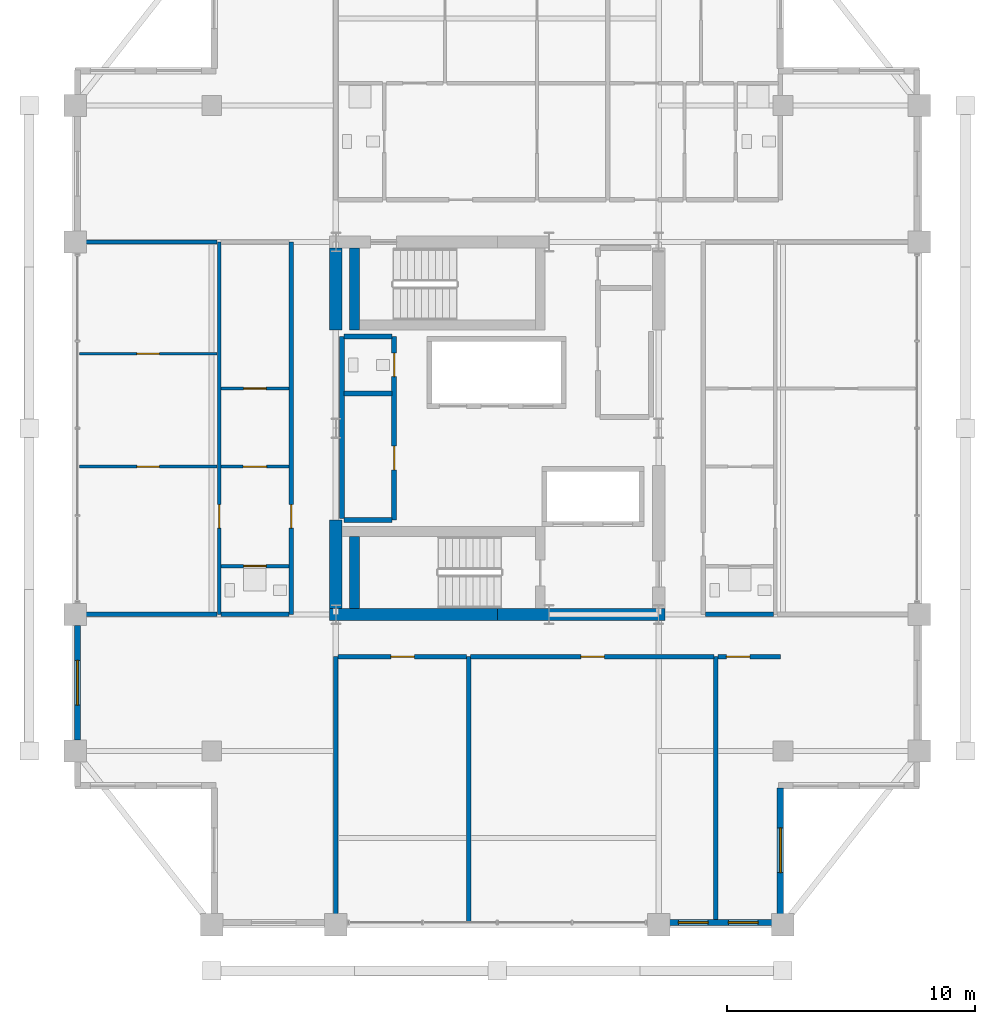
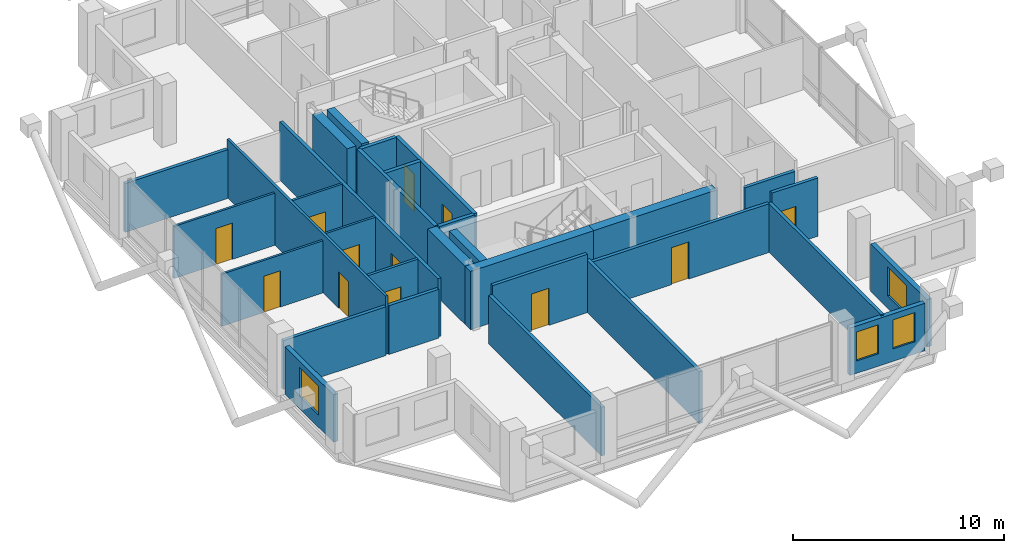
# One storey, part 18 of 23: 31 walls, 12 doors, 4 windows, 16 openings.
"""IFC4 building model written with IfcOpenShell, lengths in metres."""

from ifc_helpers import new_model, si_unit, direction, frame, frame_2d, origin, place, context, subcontext, project, spatial, rectangle, extrude, material, layer, layer_set, type_object, element, fill, save


model = new_model("IFC4")

# Units and contexts
model_context = context("Model", 3, precision=1e-05, world=origin(), true_north=direction((0.0, 1.0)))
body_context = subcontext(model_context, "Body", "Model", "MODEL_VIEW")
ifc_project = project(units=[si_unit("LENGTHUNIT", "METRE"), si_unit("AREAUNIT", "SQUARE_METRE"), si_unit("VOLUMEUNIT", "CUBIC_METRE"), si_unit("PLANEANGLEUNIT", "RADIAN"), si_unit("MASSUNIT", "GRAM", prefix="KILO")], contexts=[model_context])

# Site, building, storey
site_placement = place(None, origin())
site = spatial("IfcSite", under=ifc_project, at=site_placement, CompositionType="ELEMENT")
building_placement = place(site_placement, origin())
building = spatial("IfcBuilding", under=site, at=building_placement, Name="Barlavira Tower and Art Museum", CompositionType="ELEMENT")
storey_placement = place(building_placement, frame((0.0, 0.0, 247.5)))
storey = spatial("IfcBuildingStorey", under=building, at=storey_placement, Name="L64", CompositionType="ELEMENT", Elevation=247.5)

# Wall, opening, door
ifc_material_1 = material(Name="Gypsum acoustic stud partition", Category="gypsum")
ifc_layer_1 = layer(ifc_material_1, 0.1201171875, Name="Gypsum acoustic stud partition")
ifc_layer_set_1 = layer_set([ifc_layer_1], Name="Gypsum acoustic stud partition")
wall_type_1 = type_object("IfcWallType", Name="Apartment Internal Acoustic Partition 120", PredefinedType="PARTITIONING", material=ifc_layer_set_1)
wall_1_placement = place(storey_placement, frame((-16.820068359375, -1.550048828125, 0.0), z_axis=(0.0, 0.0, 1.0), x_axis=(1.0, 0.0, 0.0)))
wall_1 = element("IfcWall", 1, at=wall_1_placement, inside=storey, type_object=wall_type_1, Name="L64 Partition Wall 31", PredefinedType="PARTITIONING", context=body_context, shape_type="SweptSolid", body=[
    extrude(rectangle(XDim=5.5400390625, YDim=0.1201171875, at=frame_2d((2.77001953125, 0.0))), origin(), (0.0, 0.0, 1.0), 3.01806640625),
])
opening_1_placement = place(wall_1_placement, frame((2.31005859375, 0.0, 0.0)))
opening_1 = element("IfcOpeningElement", 2, at=opening_1_placement, cuts=wall_1, Name="Opening D-01", PredefinedType="OPENING", context=body_context, shape_type="SweptSolid", body=[
    extrude(rectangle(XDim=0.89990234375, YDim=2.10009765625, at=frame_2d((0.449951171875, 1.050048828125))), frame((0.0, 0.070068359375, 0.0), z_axis=(0.0, -1.0, 0.0), x_axis=(1.0, 0.0, 0.0)), (0.0, 0.0, 1.0), 0.14013671875),
])
ifc_material_2 = material(Name="Engineered coastal hardwood", Category="wood")
door_type_1 = type_object("IfcDoorType", Name="Internal Bedroom Timber Flush Door 900x2100", OperationType="NOTDEFINED", PredefinedType="DOOR", material=ifc_material_2)
door_1_placement = place(opening_1_placement, origin())
door_1 = element("IfcDoor", 3, at=door_1_placement, inside=storey, type_object=door_type_1, Name="Apartment W1 Bedroom 1 Door", OperationType="SINGLE_SWING_LEFT", OverallHeight=2.10009765625, OverallWidth=0.89990234375, PredefinedType="DOOR", context=body_context, shape_type="SweptSolid", body=[
    extrude(rectangle(XDim=0.89990234375, YDim=2.10009765625, at=frame_2d((0.449951171875, 1.050048828125))), frame((0.0, 0.02490234375, 0.0), z_axis=(0.0, -1.0, 0.0), x_axis=(1.0, 0.0, 0.0)), (0.0, 0.0, 1.0), 0.050048828125),
])
fill(opening_1, door_1)

wall_2_placement = place(storey_placement, frame((-11.1201171875, -1.550048828125, 0.0), z_axis=(0.0, 0.0, 1.0), x_axis=(1.0, 0.0, 0.0)))
wall_2 = element("IfcWall", 4, at=wall_2_placement, inside=storey, type_object=wall_type_1, Name="L64 Partition Wall 32", PredefinedType="PARTITIONING", context=body_context, shape_type="SweptSolid", body=[
    extrude(rectangle(XDim=2.740234375, YDim=0.1201171875, at=frame_2d((1.3701171875, 0.0))), origin(), (0.0, 0.0, 1.0), 3.3798828125),
])
opening_2_placement = place(wall_2_placement, frame((0.885009765625, 0.0, 0.0)))
opening_2 = element("IfcOpeningElement", 5, at=opening_2_placement, cuts=wall_2, Name="Opening D-02", PredefinedType="OPENING", context=body_context, shape_type="SweptSolid", body=[
    extrude(rectangle(XDim=0.949951171875, YDim=2.10009765625, at=frame_2d((0.47509765625, 1.050048828125))), frame((0.0, 0.070068359375, 0.0), z_axis=(0.0, -1.0, 0.0), x_axis=(1.0, 0.0, 0.0)), (0.0, 0.0, 1.0), 0.14013671875),
])
door_type_2 = type_object("IfcDoorType", Name="Living and Salon Glazed-Leaf Door 950x2100", OperationType="NOTDEFINED", PredefinedType="DOOR", material=ifc_material_2)
door_2_placement = place(opening_2_placement, origin())
door_2 = element("IfcDoor", 6, at=door_2_placement, inside=storey, type_object=door_type_2, Name="Apartment W1 Kitchen Door", OperationType="SINGLE_SWING_RIGHT", OverallHeight=2.10009765625, OverallWidth=0.949951171875, PredefinedType="DOOR", context=body_context, shape_type="SweptSolid", body=[
    extrude(rectangle(XDim=0.949951171875, YDim=2.10009765625, at=frame_2d((0.47509765625, 1.050048828125))), frame((0.0, 0.02490234375, 0.0), z_axis=(0.0, -1.0, 0.0), x_axis=(1.0, 0.0, 0.0)), (0.0, 0.0, 1.0), 0.050048828125),
])
fill(opening_2, door_2)

wall_3_placement = place(storey_placement, frame((-11.1201171875, 1.60009765625, 0.0), z_axis=(0.0, 0.0, 1.0), x_axis=(1.0, 0.0, 0.0)))
wall_3 = element("IfcWall", 7, at=wall_3_placement, inside=storey, type_object=wall_type_1, Name="L64 Partition Wall 36", PredefinedType="PARTITIONING", context=body_context, shape_type="SweptSolid", body=[
    extrude(rectangle(XDim=2.740234375, YDim=0.1201171875, at=frame_2d((1.3701171875, 0.0))), origin(), (0.0, 0.0, 1.0), 3.3798828125),
])
opening_3_placement = place(wall_3_placement, frame((0.909912109375, 0.0, 0.0)))
opening_3 = element("IfcOpeningElement", 8, at=opening_3_placement, cuts=wall_3, Name="Opening D-01", PredefinedType="OPENING", context=body_context, shape_type="SweptSolid", body=[
    extrude(rectangle(XDim=0.89990234375, YDim=2.10009765625, at=frame_2d((0.449951171875, 1.050048828125))), frame((0.0, 0.070068359375, 0.0), z_axis=(0.0, -1.0, 0.0), x_axis=(1.0, 0.0, 0.0)), (0.0, 0.0, 1.0), 0.14013671875),
])
door_3_placement = place(opening_3_placement, origin())
door_3 = element("IfcDoor", 9, at=door_3_placement, inside=storey, type_object=door_type_1, Name="Apartment W1 Walk-In Dressing Room Door", OperationType="SINGLE_SWING_LEFT", OverallHeight=2.10009765625, OverallWidth=0.89990234375, PredefinedType="DOOR", context=body_context, shape_type="SweptSolid", body=[
    extrude(rectangle(XDim=0.89990234375, YDim=2.10009765625, at=frame_2d((0.449951171875, 1.050048828125))), frame((0.0, 0.02490234375, 0.0), z_axis=(0.0, -1.0, 0.0), x_axis=(1.0, 0.0, 0.0)), (0.0, 0.0, 1.0), 0.050048828125),
])
fill(opening_3, door_3)

wall_4_placement = place(storey_placement, frame((-16.820068359375, 3.0, 0.0), z_axis=(0.0, 0.0, 1.0), x_axis=(1.0, 0.0, 0.0)))
wall_4 = element("IfcWall", 10, at=wall_4_placement, inside=storey, type_object=wall_type_1, Name="L64 Partition Wall 39", PredefinedType="PARTITIONING", context=body_context, shape_type="SweptSolid", body=[
    extrude(rectangle(XDim=5.5400390625, YDim=0.1201171875, at=frame_2d((2.77001953125, 0.0))), origin(), (0.0, 0.0, 1.0), 3.01806640625),
])
opening_4_placement = place(wall_4_placement, frame((2.31005859375, 0.0, 0.0)))
opening_4 = element("IfcOpeningElement", 11, at=opening_4_placement, cuts=wall_4, Name="Opening D-01", PredefinedType="OPENING", context=body_context, shape_type="SweptSolid", body=[
    extrude(rectangle(XDim=0.89990234375, YDim=2.10009765625, at=frame_2d((0.449951171875, 1.050048828125))), frame((0.0, 0.070068359375, 0.0), z_axis=(0.0, -1.0, 0.0), x_axis=(1.0, 0.0, 0.0)), (0.0, 0.0, 1.0), 0.14013671875),
])
door_4_placement = place(opening_4_placement, origin())
door_4 = element("IfcDoor", 12, at=door_4_placement, inside=storey, type_object=door_type_1, Name="Apartment W1 Bedroom 2 Door", OperationType="SINGLE_SWING_RIGHT", OverallHeight=2.10009765625, OverallWidth=0.89990234375, PredefinedType="DOOR", context=body_context, shape_type="SweptSolid", body=[
    extrude(rectangle(XDim=0.89990234375, YDim=2.10009765625, at=frame_2d((0.449951171875, 1.050048828125))), frame((0.0, 0.02490234375, 0.0), z_axis=(0.0, -1.0, 0.0), x_axis=(1.0, 0.0, 0.0)), (0.0, 0.0, 1.0), 0.050048828125),
])
fill(opening_4, door_4)

# Walls
ifc_material_3 = material(Name="Concrete C60", Category="concrete")
ifc_layer_2 = layer(ifc_material_3, 0.5, Name="Concrete C60")
ifc_layer_set_2 = layer_set([ifc_layer_2], Name="Concrete C60")
wall_type_2 = type_object("IfcWallType", Name="Core Structural Shear Wall 500 Concrete C60", PredefinedType="SHEAR", material=ifc_layer_set_2)
for number, where, z_axis, x_axis, name in (
    (13, (-6.75, -7.5, 0.0), (0.0, 0.0, 1.0), (1.0, 0.0, 0.0), "L64 Core Shear Wall CS-SW"),
    (14, (0.0, -7.5, 0.0), (0.0, 0.0, 1.0), (1.0, 0.0, 0.0), "L64 Core Shear Wall CS-SE"),
):
    element("IfcWall", number, at=place(storey_placement, frame(where, z_axis=z_axis, x_axis=x_axis)), inside=storey, type_object=wall_type_2, Name=name, PredefinedType="SHEAR", context=body_context, shape_type="SweptSolid", body=[
        extrude(rectangle(XDim=6.75, YDim=0.5, at=frame_2d((3.375, 0.0))), origin(), (0.0, 0.0, 1.0), 3.3798828125),
    ])
wall_5_placement = place(storey_placement, frame((-6.5, -7.25, 0.0), z_axis=(0.0, 0.0, 1.0), x_axis=(0.0, 1.0, 0.0)))
element("IfcWall", 15, at=wall_5_placement, inside=storey, type_object=wall_type_2, Name="L64 Core Shear Wall CS-W1", PredefinedType="SHEAR", context=body_context, shape_type="SweptSolid", body=[
    extrude(rectangle(XDim=3.550048828125, YDim=0.5, at=frame_2d((1.77490234375, 0.0))), origin(), (0.0, 0.0, 1.0), 3.3798828125),
])
wall_6_placement = place(storey_placement, frame((-6.5, 3.949951171875, 0.0), z_axis=(0.0, 0.0, 1.0), x_axis=(0.0, 1.0, 0.0)))
element("IfcWall", 16, at=wall_6_placement, inside=storey, type_object=wall_type_2, Name="L64 Core Shear Wall CS-W2", PredefinedType="SHEAR", context=body_context, shape_type="SweptSolid", body=[
    extrude(rectangle(XDim=3.300048828125, YDim=0.5, at=frame_2d((1.64990234375, 0.0))), origin(), (0.0, 0.0, 1.0), 3.3798828125),
])
ifc_material_4 = material(Name="Autoclaved aerated concrete masonry", Category="masonry")
ifc_layer_3 = layer(ifc_material_4, 0.199951171875, Name="Autoclaved aerated concrete masonry")
ifc_layer_set_3 = layer_set([ifc_layer_3], Name="Autoclaved aerated concrete masonry")
wall_type_3 = type_object("IfcWallType", Name="Fire Compartment and Shaft Wall 200", PredefinedType="SOLIDWALL", material=ifc_layer_set_3)
wall_7_placement = place(storey_placement, frame((-6.25, -3.639892578125, 0.0), z_axis=(0.0, 0.0, 1.0), x_axis=(0.0, 1.0, 0.0)))
element("IfcWall", 17, at=wall_7_placement, inside=storey, type_object=wall_type_3, Name="L64 Partition Wall 5", PredefinedType="SOLIDWALL", context=body_context, shape_type="SweptSolid", body=[
    extrude(rectangle(XDim=7.33984375, YDim=0.199951171875, at=frame_2d((3.669921875, 0.0))), origin(), (0.0, 0.0, 1.0), 3.3798828125),
])

# Wall, openings, doors
wall_8_placement = place(storey_placement, frame((-4.14990234375, -3.699951171875, 0.0), z_axis=(0.0, 0.0, 1.0), x_axis=(0.0, 1.0, 0.0)))
wall_8 = element("IfcWall", 18, at=wall_8_placement, inside=storey, type_object=wall_type_3, Name="L64 Partition Wall 7", PredefinedType="SOLIDWALL", context=body_context, shape_type="SweptSolid", body=[
    extrude(rectangle(XDim=7.39990234375, YDim=0.199951171875, at=frame_2d((3.699951171875, 0.0))), origin(), (0.0, 0.0, 1.0), 3.3798828125),
])
opening_5_placement = place(wall_8_placement, frame((2.02490234375, 0.0, 0.0)))
opening_5 = element("IfcOpeningElement", 19, at=opening_5_placement, cuts=wall_8, Name="Opening FD-60", PredefinedType="OPENING", context=body_context, shape_type="SweptSolid", body=[
    extrude(rectangle(XDim=0.949951171875, YDim=2.14990234375, at=frame_2d((0.47509765625, 1.074951171875))), frame((0.0, 0.10986328125, 0.0), z_axis=(0.0, -1.0, 0.0), x_axis=(1.0, 0.0, 0.0)), (0.0, 0.0, 1.0), 0.219970703125),
])
opening_6_placement = place(wall_8_placement, frame((5.77490234375, 0.0, 0.0)))
opening_6 = element("IfcOpeningElement", 20, at=opening_6_placement, cuts=wall_8, Name="Opening FD-60", PredefinedType="OPENING", context=body_context, shape_type="SweptSolid", body=[
    extrude(rectangle(XDim=0.949951171875, YDim=2.14990234375, at=frame_2d((0.47509765625, 1.074951171875))), frame((0.0, 0.10986328125, 0.0), z_axis=(0.0, -1.0, 0.0), x_axis=(1.0, 0.0, 0.0)), (0.0, 0.0, 1.0), 0.219970703125),
])
ifc_material_5 = material(Name="Brushed stainless steel", Category="steel")
door_type_3 = type_object("IfcDoorType", Name="Apartment Entrance and Riser Fire Door 950x2150 FD60S", OperationType="NOTDEFINED", PredefinedType="DOOR", material=ifc_material_5)
door_5_placement = place(opening_5_placement, origin())
door_5 = element("IfcDoor", 21, at=door_5_placement, inside=storey, type_object=door_type_3, Name="Reclaimed Core Resident Parcel Room Door", OperationType="SINGLE_SWING_RIGHT", OverallHeight=2.14990234375, OverallWidth=0.949951171875, PredefinedType="DOOR", context=body_context, shape_type="SweptSolid", body=[
    extrude(rectangle(XDim=0.949951171875, YDim=2.14990234375, at=frame_2d((0.47509765625, 1.074951171875))), frame((0.0, 0.02490234375, 0.0), z_axis=(0.0, -1.0, 0.0), x_axis=(1.0, 0.0, 0.0)), (0.0, 0.0, 1.0), 0.050048828125),
])
fill(opening_5, door_5)
door_6_placement = place(opening_6_placement, origin())
door_6 = element("IfcDoor", 22, at=door_6_placement, inside=storey, type_object=door_type_3, Name="Reclaimed Core Accessible WC Door", OperationType="SINGLE_SWING_LEFT", OverallHeight=2.14990234375, OverallWidth=0.949951171875, PredefinedType="DOOR", context=body_context, shape_type="SweptSolid", body=[
    extrude(rectangle(XDim=0.949951171875, YDim=2.14990234375, at=frame_2d((0.47509765625, 1.074951171875))), frame((0.0, 0.02490234375, 0.0), z_axis=(0.0, -1.0, 0.0), x_axis=(1.0, 0.0, 0.0)), (0.0, 0.0, 1.0), 0.050048828125),
])
fill(opening_6, door_6)

# Walls
for number, where, z_axis, x_axis, name in (
    (23, (-6.169921875, -3.699951171875, 0.0), (0.0, 0.0, 1.0), (1.0, 0.0, 0.0), "L64 Partition Wall 30"),
    (24, (-6.169921875, 1.39990234375, 0.0), (0.0, 0.0, 1.0), (1.0, 0.0, 0.0), "L64 Partition Wall 35"),
    (25, (-6.169921875, 3.699951171875, 0.0), (0.0, 0.0, 1.0), (1.0, 0.0, 0.0), "L64 Partition Wall 40"),
):
    element("IfcWall", number, at=place(storey_placement, frame(where, z_axis=z_axis, x_axis=x_axis)), inside=storey, type_object=wall_type_3, Name=name, PredefinedType="SOLIDWALL", context=body_context, shape_type="SweptSolid", body=[
        extrude(rectangle(XDim=1.93994140625, YDim=0.199951171875, at=frame_2d((0.969970703125, 0.0))), origin(), (0.0, 0.0, 1.0), 3.3798828125),
    ])

# Wall, opening, door
ifc_layer_4 = layer(ifc_material_1, 0.179931640625, Name="Gypsum acoustic stud partition")
ifc_layer_set_4 = layer_set([ifc_layer_4], Name="Gypsum acoustic stud partition")
wall_type_4 = type_object("IfcWallType", Name="Inter-Tenancy Party Partition Wall 180", PredefinedType="PARTITIONING", material=ifc_layer_set_4)
wall_9_placement = place(storey_placement, frame((-8.300048828125, -7.5, 0.0), z_axis=(0.0, 0.0, 1.0), x_axis=(0.0, 1.0, 0.0)))
wall_9 = element("IfcWall", 26, at=wall_9_placement, inside=storey, type_object=wall_type_4, Name="L64 Partition Wall 2", PredefinedType="PARTITIONING", context=body_context, shape_type="SweptSolid", body=[
    extrude(rectangle(XDim=15.0, YDim=0.179931640625, at=frame_2d((7.5, 0.0))), origin(), (0.0, 0.0, 1.0), 3.3798828125),
])
opening_7_placement = place(wall_9_placement, frame((3.47509765625, 0.0, 0.0)))
opening_7 = element("IfcOpeningElement", 27, at=opening_7_placement, cuts=wall_9, Name="Opening FD-60", PredefinedType="OPENING", context=body_context, shape_type="SweptSolid", body=[
    extrude(rectangle(XDim=0.949951171875, YDim=2.14990234375, at=frame_2d((0.47509765625, 1.074951171875))), frame((0.0, 0.10009765625, 0.0), z_axis=(0.0, -1.0, 0.0), x_axis=(1.0, 0.0, 0.0)), (0.0, 0.0, 1.0), 0.199951171875),
])
door_7_placement = place(opening_7_placement, origin())
door_7 = element("IfcDoor", 28, at=door_7_placement, inside=storey, type_object=door_type_3, Name="Apartment Entrance Hall W1 Door", OperationType="SINGLE_SWING_LEFT", OverallHeight=2.14990234375, OverallWidth=0.949951171875, PredefinedType="DOOR", context=body_context, shape_type="SweptSolid", body=[
    extrude(rectangle(XDim=0.949951171875, YDim=2.14990234375, at=frame_2d((0.47509765625, 1.074951171875))), frame((0.0, 0.02490234375, 0.0), z_axis=(0.0, -1.0, 0.0), x_axis=(1.0, 0.0, 0.0)), (0.0, 0.0, 1.0), 0.050048828125),
])
fill(opening_7, door_7)

# Walls
wall_10_placement = place(storey_placement, frame((-6.5, -19.89990234375, 0.0), z_axis=(0.0, 0.0, 1.0), x_axis=(0.0, 1.0, 0.0)))
element("IfcWall", 29, at=wall_10_placement, inside=storey, type_object=wall_type_4, Name="L64 Partition Wall 3", PredefinedType="PARTITIONING", context=body_context, shape_type="SweptSolid", body=[
    extrude(rectangle(XDim=10.699951171875, YDim=0.179931640625, at=frame_2d((5.35009765625, 0.0))), origin(), (0.0, 0.0, 1.0), 2.825927734375),
])
wall_11_placement = place(storey_placement, frame((-1.14990234375, -19.89990234375, 0.0), z_axis=(0.0, 0.0, 1.0), x_axis=(0.0, 1.0, 0.0)))
element("IfcWall", 30, at=wall_11_placement, inside=storey, type_object=wall_type_4, Name="L64 Partition Wall 9", PredefinedType="PARTITIONING", context=body_context, shape_type="SweptSolid", body=[
    extrude(rectangle(XDim=10.699951171875, YDim=0.179931640625, at=frame_2d((5.35009765625, 0.0))), origin(), (0.0, 0.0, 1.0), 3.01806640625),
])
wall_12_placement = place(storey_placement, frame((8.800048828125, -19.89990234375, 0.0), z_axis=(0.0, 0.0, 1.0), x_axis=(0.0, 1.0, 0.0)))
element("IfcWall", 31, at=wall_12_placement, inside=storey, type_object=wall_type_4, Name="L64 Partition Wall 17", PredefinedType="PARTITIONING", context=body_context, shape_type="SweptSolid", body=[
    extrude(rectangle(XDim=10.699951171875, YDim=0.179931640625, at=frame_2d((5.35009765625, 0.0))), origin(), (0.0, 0.0, 1.0), 2.825927734375),
])

# Wall, opening, door
wall_13_placement = place(storey_placement, frame((-6.419921875, -9.199951171875, 0.0), z_axis=(0.0, 0.0, 1.0), x_axis=(1.0, 0.0, 0.0)))
wall_13 = element("IfcWall", 32, at=wall_13_placement, inside=storey, type_object=wall_type_4, Name="L64 Partition Wall 21", PredefinedType="PARTITIONING", context=body_context, shape_type="SweptSolid", body=[
    extrude(rectangle(XDim=5.18994140625, YDim=0.179931640625, at=frame_2d((2.594970703125, 0.0))), origin(), (0.0, 0.0, 1.0), 3.3798828125),
])
opening_8_placement = place(wall_13_placement, frame((2.135009765625, 0.0, 0.0)))
opening_8 = element("IfcOpeningElement", 33, at=opening_8_placement, cuts=wall_13, Name="Opening FD-60", PredefinedType="OPENING", context=body_context, shape_type="SweptSolid", body=[
    extrude(rectangle(XDim=0.949951171875, YDim=2.14990234375, at=frame_2d((0.47509765625, 1.074951171875))), frame((0.0, 0.10009765625, 0.0), z_axis=(0.0, -1.0, 0.0), x_axis=(1.0, 0.0, 0.0)), (0.0, 0.0, 1.0), 0.199951171875),
])
door_8_placement = place(opening_8_placement, origin())
door_8 = element("IfcDoor", 34, at=door_8_placement, inside=storey, type_object=door_type_3, Name="Resident Sky Coworking Studio Door", OperationType="SINGLE_SWING_RIGHT", OverallHeight=2.14990234375, OverallWidth=0.949951171875, PredefinedType="DOOR", context=body_context, shape_type="SweptSolid", body=[
    extrude(rectangle(XDim=0.949951171875, YDim=2.14990234375, at=frame_2d((0.47509765625, 1.074951171875))), frame((0.0, 0.02490234375, 0.0), z_axis=(0.0, -1.0, 0.0), x_axis=(1.0, 0.0, 0.0)), (0.0, 0.0, 1.0), 0.050048828125),
])
fill(opening_8, door_8)

wall_14_placement = place(storey_placement, frame((-1.070068359375, -9.199951171875, 0.0), z_axis=(0.0, 0.0, 1.0), x_axis=(1.0, 0.0, 0.0)))
wall_14 = element("IfcWall", 35, at=wall_14_placement, inside=storey, type_object=wall_type_4, Name="L64 Partition Wall 22", PredefinedType="PARTITIONING", context=body_context, shape_type="SweptSolid", body=[
    extrude(rectangle(XDim=9.7900390625, YDim=0.179931640625, at=frame_2d((4.89501953125, 0.0))), origin(), (0.0, 0.0, 1.0), 2.825927734375),
])
opening_9_placement = place(wall_14_placement, frame((4.43505859375, 0.0, 0.0)))
opening_9 = element("IfcOpeningElement", 36, at=opening_9_placement, cuts=wall_14, Name="Opening FD-60", PredefinedType="OPENING", context=body_context, shape_type="SweptSolid", body=[
    extrude(rectangle(XDim=0.949951171875, YDim=2.14990234375, at=frame_2d((0.47509765625, 1.074951171875))), frame((0.0, 0.10009765625, 0.0), z_axis=(0.0, -1.0, 0.0), x_axis=(1.0, 0.0, 0.0)), (0.0, 0.0, 1.0), 0.199951171875),
])
door_9_placement = place(opening_9_placement, origin())
door_9 = element("IfcDoor", 37, at=door_9_placement, inside=storey, type_object=door_type_3, Name="Atlantic Horizon Boardroom Door", OperationType="SINGLE_SWING_LEFT", OverallHeight=2.14990234375, OverallWidth=0.949951171875, PredefinedType="DOOR", context=body_context, shape_type="SweptSolid", body=[
    extrude(rectangle(XDim=0.949951171875, YDim=2.14990234375, at=frame_2d((0.47509765625, 1.074951171875))), frame((0.0, 0.02490234375, 0.0), z_axis=(0.0, -1.0, 0.0), x_axis=(1.0, 0.0, 0.0)), (0.0, 0.0, 1.0), 0.050048828125),
])
fill(opening_9, door_9)

wall_15_placement = place(storey_placement, frame((8.8798828125, -9.199951171875, 0.0), z_axis=(0.0, 0.0, 1.0), x_axis=(1.0, 0.0, 0.0)))
wall_15 = element("IfcWall", 38, at=wall_15_placement, inside=storey, type_object=wall_type_4, Name="L64 Partition Wall 23", PredefinedType="PARTITIONING", context=body_context, shape_type="SweptSolid", body=[
    extrude(rectangle(XDim=2.52001953125, YDim=0.179931640625, at=frame_2d((1.260009765625, 0.0))), origin(), (0.0, 0.0, 1.0), 3.3798828125),
])
opening_10_placement = place(wall_15_placement, frame((0.344970703125, 0.0, 0.0)))
opening_10 = element("IfcOpeningElement", 39, at=opening_10_placement, cuts=wall_15, Name="Opening FD-60", PredefinedType="OPENING", context=body_context, shape_type="SweptSolid", body=[
    extrude(rectangle(XDim=0.949951171875, YDim=2.14990234375, at=frame_2d((0.47509765625, 1.074951171875))), frame((0.0, 0.10009765625, 0.0), z_axis=(0.0, -1.0, 0.0), x_axis=(1.0, 0.0, 0.0)), (0.0, 0.0, 1.0), 0.199951171875),
])
door_10_placement = place(opening_10_placement, origin())
door_10 = element("IfcDoor", 40, at=door_10_placement, inside=storey, type_object=door_type_3, Name="Shared Coworking Espresso Pantry Door", OperationType="SINGLE_SWING_RIGHT", OverallHeight=2.14990234375, OverallWidth=0.949951171875, PredefinedType="DOOR", context=body_context, shape_type="SweptSolid", body=[
    extrude(rectangle(XDim=0.949951171875, YDim=2.14990234375, at=frame_2d((0.47509765625, 1.074951171875))), frame((0.0, 0.02490234375, 0.0), z_axis=(0.0, -1.0, 0.0), x_axis=(1.0, 0.0, 0.0)), (0.0, 0.0, 1.0), 0.050048828125),
])
fill(opening_10, door_10)

# Walls
wall_16_placement = place(storey_placement, frame((-16.89990234375, -7.5, 0.0), z_axis=(0.0, 0.0, 1.0), x_axis=(1.0, 0.0, 0.0)))
element("IfcWall", 41, at=wall_16_placement, inside=storey, type_object=wall_type_4, Name="L64 Partition Wall 24", PredefinedType="PARTITIONING", context=body_context, shape_type="SweptSolid", body=[
    extrude(rectangle(XDim=5.619873046875, YDim=0.179931640625, at=frame_2d((2.81005859375, 0.0))), origin(), (0.0, 0.0, 1.0), 2.825927734375),
])
for number, where, z_axis, x_axis, name in (
    (42, (-11.1201171875, -7.5, 0.0), (0.0, 0.0, 1.0), (1.0, 0.0, 0.0), "L64 Partition Wall 25"),
    (43, (8.3798828125, -7.5, 0.0), (0.0, 0.0, 1.0), (1.0, 0.0, 0.0), "L64 Partition Wall 26"),
):
    element("IfcWall", number, at=place(storey_placement, frame(where, z_axis=z_axis, x_axis=x_axis)), inside=storey, type_object=wall_type_4, Name=name, PredefinedType="PARTITIONING", context=body_context, shape_type="SweptSolid", body=[
        extrude(rectangle(XDim=2.740234375, YDim=0.179931640625, at=frame_2d((1.3701171875, 0.0))), origin(), (0.0, 0.0, 1.0), 2.825927734375),
    ])
wall_17_placement = place(storey_placement, frame((-16.89990234375, 7.5, 0.0), z_axis=(0.0, 0.0, 1.0), x_axis=(1.0, 0.0, 0.0)))
element("IfcWall", 44, at=wall_17_placement, inside=storey, type_object=wall_type_4, Name="L64 Partition Wall 43", PredefinedType="PARTITIONING", context=body_context, shape_type="SweptSolid", body=[
    extrude(rectangle(XDim=5.619873046875, YDim=0.179931640625, at=frame_2d((2.81005859375, 0.0))), origin(), (0.0, 0.0, 1.0), 2.825927734375),
])

# Wall, opening, door
ifc_layer_5 = layer(ifc_material_1, 0.139892578125, Name="Gypsum acoustic stud partition")
ifc_layer_set_5 = layer_set([ifc_layer_5], Name="Gypsum acoustic stud partition")
wall_type_5 = type_object("IfcWallType", Name="Moisture-Resistant Bathroom Partition 140", PredefinedType="PARTITIONING", material=ifc_layer_set_5)
wall_18_placement = place(storey_placement, frame((-11.199951171875, -7.5, 0.0), z_axis=(0.0, 0.0, 1.0), x_axis=(0.0, 1.0, 0.0)))
wall_18 = element("IfcWall", 45, at=wall_18_placement, inside=storey, type_object=wall_type_5, Name="L64 Partition Wall 1", PredefinedType="PARTITIONING", context=body_context, shape_type="SweptSolid", body=[
    extrude(rectangle(XDim=15.0, YDim=0.139892578125, at=frame_2d((7.5, 0.0))), origin(), (0.0, 0.0, 1.0), 3.3798828125),
])
opening_11_placement = place(wall_18_placement, frame((3.47509765625, 0.0, 0.0)))
opening_11 = element("IfcOpeningElement", 46, at=opening_11_placement, cuts=wall_18, Name="Opening D-02", PredefinedType="OPENING", context=body_context, shape_type="SweptSolid", body=[
    extrude(rectangle(XDim=0.949951171875, YDim=2.10009765625, at=frame_2d((0.47509765625, 1.050048828125))), frame((0.0, 0.080078125, 0.0), z_axis=(0.0, -1.0, 0.0), x_axis=(1.0, 0.0, 0.0)), (0.0, 0.0, 1.0), 0.159912109375),
])
door_11_placement = place(opening_11_placement, origin())
door_11 = element("IfcDoor", 47, at=door_11_placement, inside=storey, type_object=door_type_2, Name="Apartment W1 Living Lounge Door", OperationType="SINGLE_SWING_RIGHT", OverallHeight=2.10009765625, OverallWidth=0.949951171875, PredefinedType="DOOR", context=body_context, shape_type="SweptSolid", body=[
    extrude(rectangle(XDim=0.949951171875, YDim=2.10009765625, at=frame_2d((0.47509765625, 1.050048828125))), frame((0.0, 0.02490234375, 0.0), z_axis=(0.0, -1.0, 0.0), x_axis=(1.0, 0.0, 0.0)), (0.0, 0.0, 1.0), 0.050048828125),
])
fill(opening_11, door_11)

wall_19_placement = place(storey_placement, frame((-11.1201171875, -5.550048828125, 0.0), z_axis=(0.0, 0.0, 1.0), x_axis=(1.0, 0.0, 0.0)))
wall_19 = element("IfcWall", 48, at=wall_19_placement, inside=storey, type_object=wall_type_5, Name="L64 Partition Wall 28", PredefinedType="PARTITIONING", context=body_context, shape_type="SweptSolid", body=[
    extrude(rectangle(XDim=2.740234375, YDim=0.139892578125, at=frame_2d((1.3701171875, 0.0))), origin(), (0.0, 0.0, 1.0), 3.3798828125),
])
opening_12_placement = place(wall_19_placement, frame((0.909912109375, 0.0, 0.0)))
opening_12 = element("IfcOpeningElement", 49, at=opening_12_placement, cuts=wall_19, Name="Opening D-WC", PredefinedType="OPENING", context=body_context, shape_type="SweptSolid", body=[
    extrude(rectangle(XDim=0.89990234375, YDim=2.10009765625, at=frame_2d((0.449951171875, 1.050048828125))), frame((0.0, 0.080078125, 0.0), z_axis=(0.0, -1.0, 0.0), x_axis=(1.0, 0.0, 0.0)), (0.0, 0.0, 1.0), 0.159912109375),
])
door_type_4 = type_object("IfcDoorType", Name="Accessible Bathroom Flush Door 900x2100", OperationType="NOTDEFINED", PredefinedType="DOOR", material=ifc_material_2)
door_12_placement = place(opening_12_placement, origin())
door_12 = element("IfcDoor", 50, at=door_12_placement, inside=storey, type_object=door_type_4, Name="Apartment W1 Hall Bathroom Door", OperationType="SINGLE_SWING_RIGHT", OverallHeight=2.10009765625, OverallWidth=0.89990234375, PredefinedType="DOOR", context=body_context, shape_type="SweptSolid", body=[
    extrude(rectangle(XDim=0.89990234375, YDim=2.10009765625, at=frame_2d((0.449951171875, 1.050048828125))), frame((0.0, 0.02490234375, 0.0), z_axis=(0.0, -1.0, 0.0), x_axis=(1.0, 0.0, 0.0)), (0.0, 0.0, 1.0), 0.050048828125),
])
fill(opening_12, door_12)

# Wall, openings, windows
ifc_material_6 = material(Name="Precast concrete C40", Category="concrete")
ifc_layer_6 = layer(ifc_material_6, 0.25, Name="Precast concrete C40")
ifc_layer_set_6 = layer_set([ifc_layer_6], Name="Precast concrete C40")
wall_type_6 = type_object("IfcWallType", Name="Notched Corner Spandrel Wall 250 Precast Concrete C40", PredefinedType="SOLIDWALL", material=ifc_layer_set_6)
wall_20_placement = place(storey_placement, frame((6.945068359375, -19.89990234375, 0.0), z_axis=(0.0, 0.0, 1.0), x_axis=(1.0, 0.0, 0.0)))
wall_20 = element("IfcWall", 51, at=wall_20_placement, inside=storey, type_object=wall_type_6, Name="L64 Coastal Facade Pier Wall CW4-L64-S-3", PredefinedType="SOLIDWALL", context=body_context, shape_type="SweptSolid", body=[
    extrude(rectangle(XDim=4.10986328125, YDim=0.25, at=frame_2d((2.054931640625, 0.0))), origin(), (0.0, 0.0, 1.0), 2.748046875),
])
opening_13_placement = place(wall_20_placement, frame((0.35009765625, 0.0, 0.719970703125)))
opening_13 = element("IfcOpeningElement", 52, at=opening_13_placement, cuts=wall_20, Name="Opening WN-05", PredefinedType="OPENING", context=body_context, shape_type="SweptSolid", body=[
    extrude(rectangle(XDim=1.199951171875, YDim=1.679931640625, at=frame_2d((0.60009765625, 0.83984375))), frame((0.0, 0.135009765625, 0.0), z_axis=(0.0, -1.0, 0.0), x_axis=(1.0, 0.0, 0.0)), (0.0, 0.0, 1.0), 0.27001953125),
])
opening_14_placement = place(wall_20_placement, frame((2.360107421875, 0.0, 0.719970703125)))
opening_14 = element("IfcOpeningElement", 53, at=opening_14_placement, cuts=wall_20, Name="Opening WN-05", PredefinedType="OPENING", context=body_context, shape_type="SweptSolid", body=[
    extrude(rectangle(XDim=1.199951171875, YDim=1.679931640625, at=frame_2d((0.60009765625, 0.83984375))), frame((0.0, 0.135009765625, 0.0), z_axis=(0.0, -1.0, 0.0), x_axis=(1.0, 0.0, 0.0)), (0.0, 0.0, 1.0), 0.27001953125),
])
ifc_material_7 = material(Name="Low-iron coastal laminated glass", Category="glass")
window_type_1 = type_object("IfcWindowType", Name="Recessed Flank Pier Punch Window 1200x1680", PartitioningType="SINGLE_PANEL", PredefinedType="WINDOW", material=ifc_material_7)
window_1_placement = place(opening_13_placement, origin())
window_1 = element("IfcWindow", 54, at=window_1_placement, inside=storey, type_object=window_type_1, Name="L64 Punched Facade Window EWP-CW4-L64-S-3-1", OverallHeight=1.679931640625, OverallWidth=1.199951171875, PartitioningType="SINGLE_PANEL", PredefinedType="WINDOW", context=body_context, shape_type="SweptSolid", body=[
    extrude(rectangle(XDim=1.199951171875, YDim=1.679931640625, at=frame_2d((0.60009765625, 0.83984375))), frame((0.0, 0.030029296875, 0.0), z_axis=(0.0, -1.0, 0.0), x_axis=(1.0, 0.0, 0.0)), (0.0, 0.0, 1.0), 0.06005859375),
])
fill(opening_13, window_1)
window_2_placement = place(opening_14_placement, origin())
window_2 = element("IfcWindow", 55, at=window_2_placement, inside=storey, type_object=window_type_1, Name="L64 Punched Facade Window EWP-CW4-L64-S-3-2", OverallHeight=1.679931640625, OverallWidth=1.199951171875, PartitioningType="SINGLE_PANEL", PredefinedType="WINDOW", context=body_context, shape_type="SweptSolid", body=[
    extrude(rectangle(XDim=1.199951171875, YDim=1.679931640625, at=frame_2d((0.60009765625, 0.83984375))), frame((0.0, 0.030029296875, 0.0), z_axis=(0.0, -1.0, 0.0), x_axis=(1.0, 0.0, 0.0)), (0.0, 0.0, 1.0), 0.06005859375),
])
fill(opening_14, window_2)

# Wall, opening, window
wall_21_placement = place(storey_placement, frame((-16.89990234375, -7.945068359375, 0.0), z_axis=(0.0, 0.0, 1.0), x_axis=(0.0, -1.0, 0.0)))
wall_21 = element("IfcWall", 56, at=wall_21_placement, inside=storey, type_object=wall_type_6, Name="L64 Coastal Facade Pier Wall CW4-L64-W-4", PredefinedType="SOLIDWALL", context=body_context, shape_type="SweptSolid", body=[
    extrude(rectangle(XDim=4.60986328125, YDim=0.25, at=frame_2d((2.304931640625, 0.0))), origin(), (0.0, 0.0, 1.0), 2.748046875),
])
opening_15_placement = place(wall_21_placement, frame((1.405029296875, 0.0, 0.719970703125)))
opening_15 = element("IfcOpeningElement", 57, at=opening_15_placement, cuts=wall_21, Name="Opening WN-01", PredefinedType="OPENING", context=body_context, shape_type="SweptSolid", body=[
    extrude(rectangle(XDim=1.800048828125, YDim=1.679931640625, at=frame_2d((0.89990234375, 0.83984375))), frame((0.0, 0.135009765625, 0.0), z_axis=(0.0, -1.0, 0.0), x_axis=(1.0, 0.0, 0.0)), (0.0, 0.0, 1.0), 0.27001953125),
])
window_type_2 = type_object("IfcWindowType", Name="Recessed Notch Corner Punch Window 1800x1680", PartitioningType="SINGLE_PANEL", PredefinedType="WINDOW", material=ifc_material_7)
window_3_placement = place(opening_15_placement, origin())
window_3 = element("IfcWindow", 58, at=window_3_placement, inside=storey, type_object=window_type_2, Name="L64 Punched Facade Window EWP-CW4-L64-W-4-1", OverallHeight=1.679931640625, OverallWidth=1.800048828125, PartitioningType="SINGLE_PANEL", PredefinedType="WINDOW", context=body_context, shape_type="SweptSolid", body=[
    extrude(rectangle(XDim=1.800048828125, YDim=1.679931640625, at=frame_2d((0.89990234375, 0.83984375))), frame((0.0, 0.030029296875, 0.0), z_axis=(0.0, -1.0, 0.0), x_axis=(1.0, 0.0, 0.0)), (0.0, 0.0, 1.0), 0.06005859375),
])
fill(opening_15, window_3)

wall_22_placement = place(storey_placement, frame((11.39990234375, -19.820068359375, 0.0), z_axis=(0.0, 0.0, 1.0), x_axis=(0.0, 1.0, 0.0)))
wall_22 = element("IfcWall", 59, at=wall_22_placement, inside=storey, type_object=wall_type_6, Name="L64 Notch Corner Wall SE1", PredefinedType="SOLIDWALL", context=body_context, shape_type="SweptSolid", body=[
    extrude(rectangle(XDim=5.340087890625, YDim=0.25, at=frame_2d((2.669921875, 0.0))), origin(), (0.0, 0.0, 1.0), 2.748046875),
])
opening_16_placement = place(wall_22_placement, frame((1.925048828125, 0.0, 0.719970703125)))
opening_16 = element("IfcOpeningElement", 60, at=opening_16_placement, cuts=wall_22, Name="Opening WN-01", PredefinedType="OPENING", context=body_context, shape_type="SweptSolid", body=[
    extrude(rectangle(XDim=1.800048828125, YDim=1.679931640625, at=frame_2d((0.89990234375, 0.83984375))), frame((0.0, 0.135009765625, 0.0), z_axis=(0.0, -1.0, 0.0), x_axis=(1.0, 0.0, 0.0)), (0.0, 0.0, 1.0), 0.27001953125),
])
window_4_placement = place(opening_16_placement, origin())
window_4 = element("IfcWindow", 61, at=window_4_placement, inside=storey, type_object=window_type_2, Name="L64 Punched Facade Window EW-NTC-L64-SE1-1", OverallHeight=1.679931640625, OverallWidth=1.800048828125, PartitioningType="SINGLE_PANEL", PredefinedType="WINDOW", context=body_context, shape_type="SweptSolid", body=[
    extrude(rectangle(XDim=1.800048828125, YDim=1.679931640625, at=frame_2d((0.89990234375, 0.83984375))), frame((0.0, 0.030029296875, 0.0), z_axis=(0.0, -1.0, 0.0), x_axis=(1.0, 0.0, 0.0)), (0.0, 0.0, 1.0), 0.06005859375),
])
fill(opening_16, window_4)

# Walls
ifc_material_8 = material(Name="Concrete C55", Category="concrete")
ifc_layer_7 = layer(ifc_material_8, 0.39990234375, Name="Concrete C55")
ifc_layer_set_7 = layer_set([ifc_layer_7], Name="Concrete C55")
wall_type_7 = type_object("IfcWallType", Name="Upper Core Shear Wall 400 Concrete C55", PredefinedType="SHEAR", material=ifc_layer_set_7)
wall_23_placement = place(storey_placement, frame((-5.75, -7.25, 0.0), z_axis=(0.0, 0.0, 1.0), x_axis=(0.0, 1.0, 0.0)))
element("IfcWall", 62, at=wall_23_placement, inside=storey, type_object=wall_type_7, Name="L64 ST-T1 West Half-Landing Wall", PredefinedType="SHEAR", context=body_context, shape_type="SweptSolid", body=[
    extrude(rectangle(XDim=2.89990234375, YDim=0.39990234375, at=frame_2d((1.449951171875, 0.0))), origin(), (0.0, 0.0, 1.0), 3.3798828125),
])
wall_24_placement = place(storey_placement, frame((-5.75, 3.949951171875, 0.0), z_axis=(0.0, 0.0, 1.0), x_axis=(0.0, 1.0, 0.0)))
element("IfcWall", 63, at=wall_24_placement, inside=storey, type_object=wall_type_7, Name="L64 ST-T2 West Shaft Wall", PredefinedType="SHEAR", context=body_context, shape_type="SweptSolid", body=[
    extrude(rectangle(XDim=3.300048828125, YDim=0.39990234375, at=frame_2d((1.64990234375, 0.0))), origin(), (0.0, 0.0, 1.0), 3.3798828125),
])

save(model, "model.ifc")
